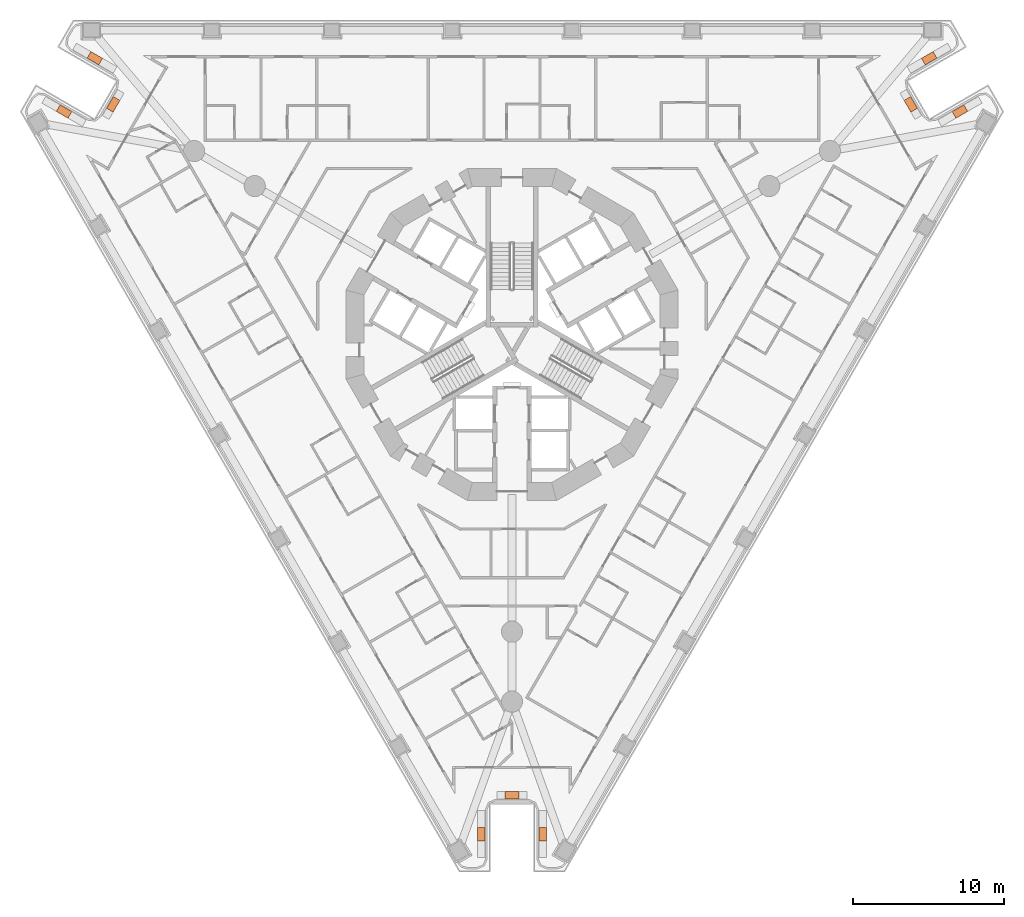
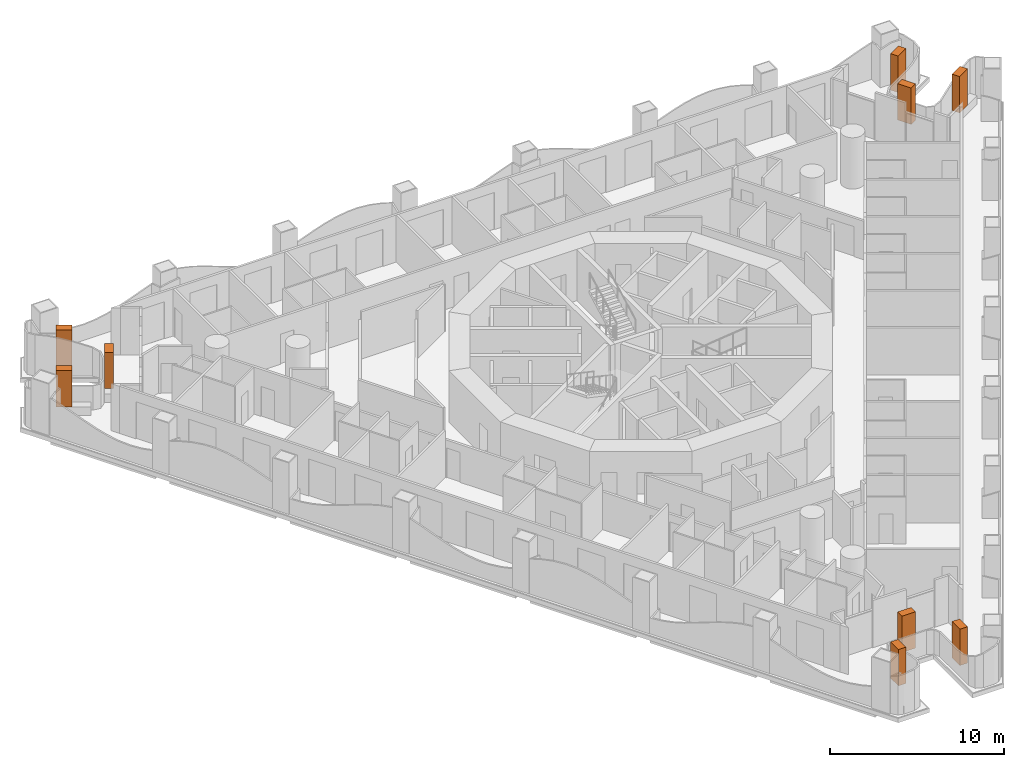
# One storey, part 20 of 20: 9 geographic elements.
"""IFC4 building model written with IfcOpenShell, lengths in metres."""

from ifc_helpers import new_model, si_unit, direction, frame, origin, origin_2d, place, context, subcontext, project, spatial, rectangle, extrude, element, save


model = new_model("IFC4")

# Units and contexts
model_context = context("Model", 3, precision=1e-05, world=origin(), true_north=direction((0.0, 1.0)))
body_context = subcontext(model_context, "Body", "Model", "MODEL_VIEW")
ifc_project = project(units=[si_unit("LENGTHUNIT", "METRE"), si_unit("AREAUNIT", "SQUARE_METRE"), si_unit("VOLUMEUNIT", "CUBIC_METRE"), si_unit("PLANEANGLEUNIT", "RADIAN"), si_unit("MASSUNIT", "GRAM", prefix="KILO")], contexts=[model_context])

# Site, building, storey
site_placement = place(None, origin())
site = spatial("IfcSite", under=ifc_project, at=site_placement, CompositionType="ELEMENT")
building_placement = place(site_placement, origin())
building = spatial("IfcBuilding", under=site, at=building_placement, Name="Trine Commons Tower", CompositionType="ELEMENT")
storey_placement = place(building_placement, frame((0.0, 0.0, 38.699951171875)))
storey = spatial("IfcBuildingStorey", under=building, at=storey_placement, Name="L08", CompositionType="ELEMENT", Elevation=38.699951171875)

# Geographic elements
for number, where, z_axis, x_axis, name in (
    (1, (50.298095703125, 77.29296875, 0.60009765625), (0.0, 0.0, 1.0), (0.866026276448, -0.4999984885, 0.0), "Tree 1.1"),
    (2, (53.560791015625, 77.7646484375, 0.60009765625), (0.0, 0.0, 1.0), (0.500010580459, 0.866019295067, 0.0), "Tree 2.1"),
    (3, (52.337890625, 80.826416015625, 0.60009765625), (0.0, 0.0, 1.0), (-0.866026276448, 0.4999984885, 0.0), "Tree 3.1"),
    (4, (107.662109375, 80.826416015625, 0.60009765625), (0.0, 0.0, 1.0), (-0.866026276448, -0.4999984885, 0.0), "Tree 4.1"),
    (5, (106.439208984375, 77.7646484375, 0.60009765625), (0.0, 0.0, 1.0), (0.500010580459, -0.866019295067, 0.0), "Tree 5.1"),
    (6, (109.701904296875, 77.29296875, 0.60009765625), (0.0, 0.0, 1.0), (0.866026276448, 0.4999984885, 0.0), "Tree 6.1"),
    (7, (82.0400390625, 29.380859375, 0.60009765625), (0.0, 0.0, 1.0), (0.0, 1.0, 0.0), "Tree 7.1"),
    (8, (80.0, 31.970703125, 0.60009765625), (0.0, 0.0, 1.0), (-1.0, 0.0, 0.0), "Tree 8.1"),
    (9, (77.9599609375, 29.380859375, 0.60009765625), (0.0, 0.0, 1.0), (0.0, -1.0, 0.0), "Tree 9.1"),
):
    element("IfcGeographicElement", number, at=place(storey_placement, frame(where, z_axis=z_axis, x_axis=x_axis)), inside=storey, Name=name, ObjectType="TREE Tabebuia rosea", PredefinedType="USERDEFINED", context=body_context, shape_type="SweptSolid", body=[
        extrude(rectangle(XDim=0.89990234375, YDim=0.5, at=origin_2d()), origin(), (0.0, 0.0, 1.0), 2.550048828125),
    ])

save(model, "model.ifc")
